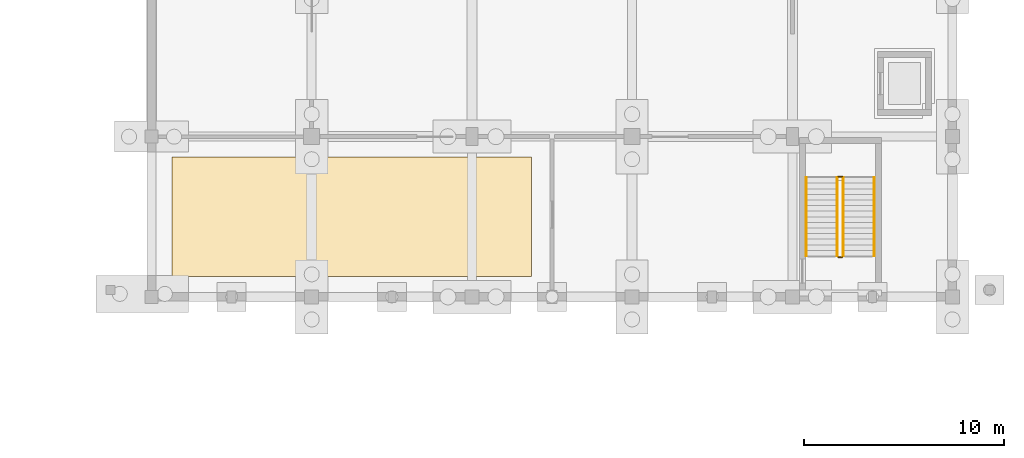
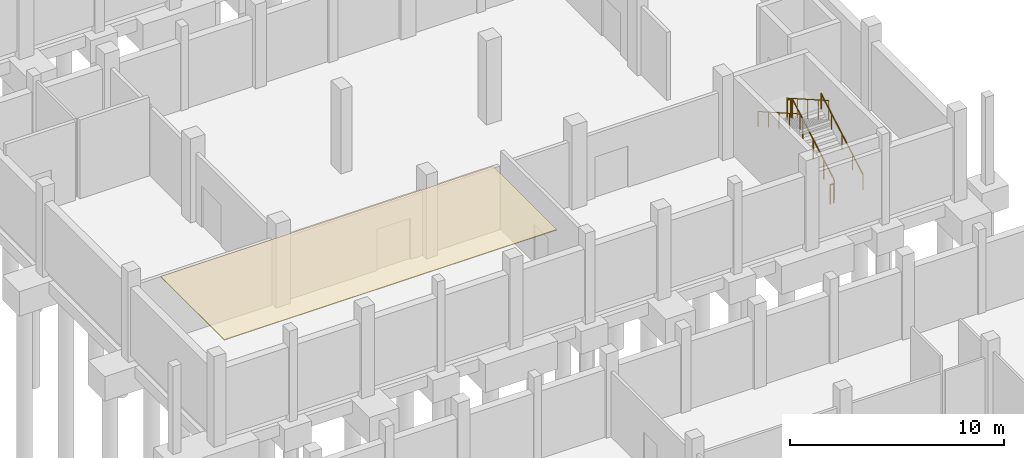
# One storey, part 49 of 52: 6 railings, 1 covering.
"""IFC4 building model written with IfcOpenShell, lengths in metres."""

from ifc_helpers import new_model, si_unit, direction, frame, origin, origin_2d, place, context, subcontext, project, spatial, polyline, circle, outline, extrude, material, layer, layer_set, type_object, element, save


model = new_model("IFC4")

# Units and contexts
model_context = context("Model", 3, precision=1e-05, world=origin(), true_north=direction((0.0, 1.0)))
body_context = subcontext(model_context, "Body", "Model", "MODEL_VIEW")
ifc_project = project(units=[si_unit("LENGTHUNIT", "METRE"), si_unit("AREAUNIT", "SQUARE_METRE"), si_unit("VOLUMEUNIT", "CUBIC_METRE"), si_unit("PLANEANGLEUNIT", "RADIAN"), si_unit("MASSUNIT", "GRAM", prefix="KILO")], contexts=[model_context])

# Site, building, storey
site_placement = place(None, origin())
site = spatial("IfcSite", under=ifc_project, at=site_placement, CompositionType="ELEMENT")
building_placement = place(site_placement, origin())
building = spatial("IfcBuilding", under=site, at=building_placement, Name="Luwemba Playhouse", CompositionType="ELEMENT")
storey_placement = place(building_placement, frame((0.0, 0.0, -4.800048828125)))
storey = spatial("IfcBuildingStorey", under=building, at=storey_placement, Name="B1", CompositionType="ELEMENT", Elevation=-4.800048828125)

# Covering
ifc_material_1 = material(Name="Perforated acoustic gypsum and timber baffle ceiling", Category="wood")
ifc_layer = layer(ifc_material_1, 0.044921875)
ifc_layer_set = layer_set([ifc_layer], Name="Perforated acoustic gypsum and timber baffle ceiling")
covering_type = type_object("IfcCoveringType", Name="COV-CEIL-AC", PredefinedType="CEILING", material=ifc_layer_set)
covering_placement = place(storey_placement, frame((0.0, 0.0, 4.455078125)))
element("IfcCovering", 1, at=covering_placement, inside=storey, type_object=covering_type, Name="B1 Digital Audio Post-Production Suite acoustic ceiling cloud", PredefinedType="CEILING", context=body_context, shape_type="SweptSolid", body=[
    extrude(outline(polyline([(133.02001953125, 37.02001953125), (150.97998046875, 37.02001953125), (150.97998046875, 42.97998046875), (133.02001953125, 42.97998046875), (133.02001953125, 37.02001953125)])), origin(), (0.0, 0.0, 1.0), 0.044921875),
])

# Railings
ifc_material_2 = material(Name="Painted wrought-iron gallery balustrade", Category="steel")
railing_type_1 = type_object("IfcRailingType", Name="RLG-BAL-INT", PredefinedType="BALUSTRADE", material=ifc_material_2)
railing_1_placement = place(storey_placement, frame((166.550048828125, 38.0400390625, 0.16015625)))
element("IfcRailing", 2, at=railing_1_placement, inside=storey, type_object=railing_type_1, Name="B1 ST-06 stair guard 1", PredefinedType="BALUSTRADE", context=body_context, shape_type="SweptSolid", body=[
    extrude(circle(Radius=0.02392578125, at=origin_2d()), frame((0.0, 0.0, 1.09619140625), z_axis=(0.0, 0.868239814368, 0.496144761885), x_axis=(-1.0, 0.0, 0.0)), (0.0, 0.0, 1.0), 4.514892578125),
    extrude(circle(Radius=0.02099609375, at=origin_2d()), origin(), (0.0, 0.0, 1.0), 1.072021484375),
    extrude(circle(Radius=0.02099609375, at=origin_2d()), frame((0.0, 0.97998046875, 0.56005859375)), (0.0, 0.0, 1.0), 1.072021484375),
    extrude(circle(Radius=0.02099609375, at=origin_2d()), frame((0.0, 1.9599609375, 1.1201171875)), (0.0, 0.0, 1.0), 1.072021484375),
    extrude(circle(Radius=0.02099609375, at=origin_2d()), frame((0.0, 2.93994140625, 1.679931640625)), (0.0, 0.0, 1.0), 1.072021484375),
    extrude(circle(Radius=0.02099609375, at=origin_2d()), frame((0.0, 3.919921875, 2.239990234375)), (0.0, 0.0, 1.0), 1.072021484375),
])
railing_2_placement = place(storey_placement, frame((166.5, 42.010009765625, 2.400146484375)))
element("IfcRailing", 3, at=railing_2_placement, inside=storey, type_object=railing_type_1, Name="B1 ST-06 stair guard 2", PredefinedType="BALUSTRADE", context=body_context, shape_type="SweptSolid", body=[
    extrude(circle(Radius=0.02392578125, at=origin_2d()), frame((0.0, 0.0, 1.09619140625), z_axis=(-1.0, 0.0, 0.0), x_axis=(0.0, -1.0, 0.0)), (0.0, 0.0, 1.0), 0.199951171875),
    extrude(circle(Radius=0.02099609375, at=origin_2d()), origin(), (0.0, 0.0, 1.0), 1.072021484375),
    extrude(circle(Radius=0.02099609375, at=origin_2d()), frame((-0.199951171875, 0.0, 0.0)), (0.0, 0.0, 1.0), 1.072021484375),
])
railing_3_placement = place(storey_placement, frame((166.25, 41.9599609375, 2.56005859375)))
element("IfcRailing", 4, at=railing_3_placement, inside=storey, type_object=railing_type_1, Name="B1 ST-06 stair guard 3", PredefinedType="BALUSTRADE", context=body_context, shape_type="SweptSolid", body=[
    extrude(circle(Radius=0.02392578125, at=origin_2d()), frame((0.0, 0.0, 1.09619140625), z_axis=(0.0, -0.868239814368, 0.496144761885), x_axis=(1.0, 0.0, 0.0)), (0.0, 0.0, 1.0), 4.514892578125),
    extrude(circle(Radius=0.02099609375, at=origin_2d()), origin(), (0.0, 0.0, 1.0), 1.072021484375),
    extrude(circle(Radius=0.02099609375, at=origin_2d()), frame((0.0, -0.97998046875, 0.56005859375)), (0.0, 0.0, 1.0), 1.072021484375),
    extrude(circle(Radius=0.02099609375, at=origin_2d()), frame((0.0, -1.9599609375, 1.1201171875)), (0.0, 0.0, 1.0), 1.072021484375),
    extrude(circle(Radius=0.02099609375, at=origin_2d()), frame((0.0, -2.93994140625, 1.679931640625)), (0.0, 0.0, 1.0), 1.072021484375),
    extrude(circle(Radius=0.02099609375, at=origin_2d()), frame((0.0, -3.919921875, 2.239990234375)), (0.0, 0.0, 1.0), 1.072021484375),
])
railing_4_placement = place(storey_placement, frame((166.5, 37.989990234375, 0.0)))
element("IfcRailing", 5, at=railing_4_placement, inside=storey, type_object=railing_type_1, Name="B1 ST-06 stair guard 4", PredefinedType="BALUSTRADE", context=body_context, shape_type="SweptSolid", body=[
    extrude(circle(Radius=0.02392578125, at=origin_2d()), frame((0.0, 0.0, 1.09619140625), z_axis=(-1.0, 0.0, 0.0), x_axis=(0.0, -1.0, 0.0)), (0.0, 0.0, 1.0), 0.199951171875),
    extrude(circle(Radius=0.02099609375, at=origin_2d()), origin(), (0.0, 0.0, 1.0), 1.072021484375),
    extrude(circle(Radius=0.02099609375, at=origin_2d()), frame((-0.199951171875, 0.0, 0.0)), (0.0, 0.0, 1.0), 1.072021484375),
])
ifc_material_3 = material(Name="Hardwood and bronze handrail", Category="wood")
railing_type_2 = type_object("IfcRailingType", Name="RLG-HR-INT", PredefinedType="HANDRAIL", material=ifc_material_3)
railing_5_placement = place(storey_placement, frame((168.10009765625, 38.0400390625, 0.16015625)))
element("IfcRailing", 6, at=railing_5_placement, inside=storey, type_object=railing_type_2, Name="B1 ST-06 stair handrail 1", PredefinedType="HANDRAIL", context=body_context, shape_type="SweptSolid", body=[
    extrude(circle(Radius=0.02392578125, at=origin_2d()), frame((0.0, 0.0, 0.8759765625), z_axis=(0.0, 0.868239814368, 0.496144761885), x_axis=(-1.0, 0.0, 0.0)), (0.0, 0.0, 1.0), 4.514892578125),
    extrude(circle(Radius=0.02099609375, at=origin_2d()), origin(), (0.0, 0.0, 1.0), 0.851806640625),
    extrude(circle(Radius=0.02099609375, at=origin_2d()), frame((0.0, 0.97998046875, 0.56005859375)), (0.0, 0.0, 1.0), 0.851806640625),
    extrude(circle(Radius=0.02099609375, at=origin_2d()), frame((0.0, 1.9599609375, 1.1201171875)), (0.0, 0.0, 1.0), 0.851806640625),
    extrude(circle(Radius=0.02099609375, at=origin_2d()), frame((0.0, 2.93994140625, 1.679931640625)), (0.0, 0.0, 1.0), 0.851806640625),
    extrude(circle(Radius=0.02099609375, at=origin_2d()), frame((0.0, 3.919921875, 2.239990234375)), (0.0, 0.0, 1.0), 0.851806640625),
])
railing_6_placement = place(storey_placement, frame((164.699951171875, 41.9599609375, 2.56005859375)))
element("IfcRailing", 7, at=railing_6_placement, inside=storey, type_object=railing_type_2, Name="B1 ST-06 stair handrail 2", PredefinedType="HANDRAIL", context=body_context, shape_type="SweptSolid", body=[
    extrude(circle(Radius=0.02392578125, at=origin_2d()), frame((0.0, 0.0, 0.8759765625), z_axis=(0.0, -0.868239814368, 0.496144761885), x_axis=(1.0, 0.0, 0.0)), (0.0, 0.0, 1.0), 4.514892578125),
    extrude(circle(Radius=0.02099609375, at=origin_2d()), origin(), (0.0, 0.0, 1.0), 0.851806640625),
    extrude(circle(Radius=0.02099609375, at=origin_2d()), frame((0.0, -0.97998046875, 0.56005859375)), (0.0, 0.0, 1.0), 0.851806640625),
    extrude(circle(Radius=0.02099609375, at=origin_2d()), frame((0.0, -1.9599609375, 1.1201171875)), (0.0, 0.0, 1.0), 0.851806640625),
    extrude(circle(Radius=0.02099609375, at=origin_2d()), frame((0.0, -2.93994140625, 1.679931640625)), (0.0, 0.0, 1.0), 0.851806640625),
    extrude(circle(Radius=0.02099609375, at=origin_2d()), frame((0.0, -3.919921875, 2.239990234375)), (0.0, 0.0, 1.0), 0.851806640625),
])

save(model, "model.ifc")
